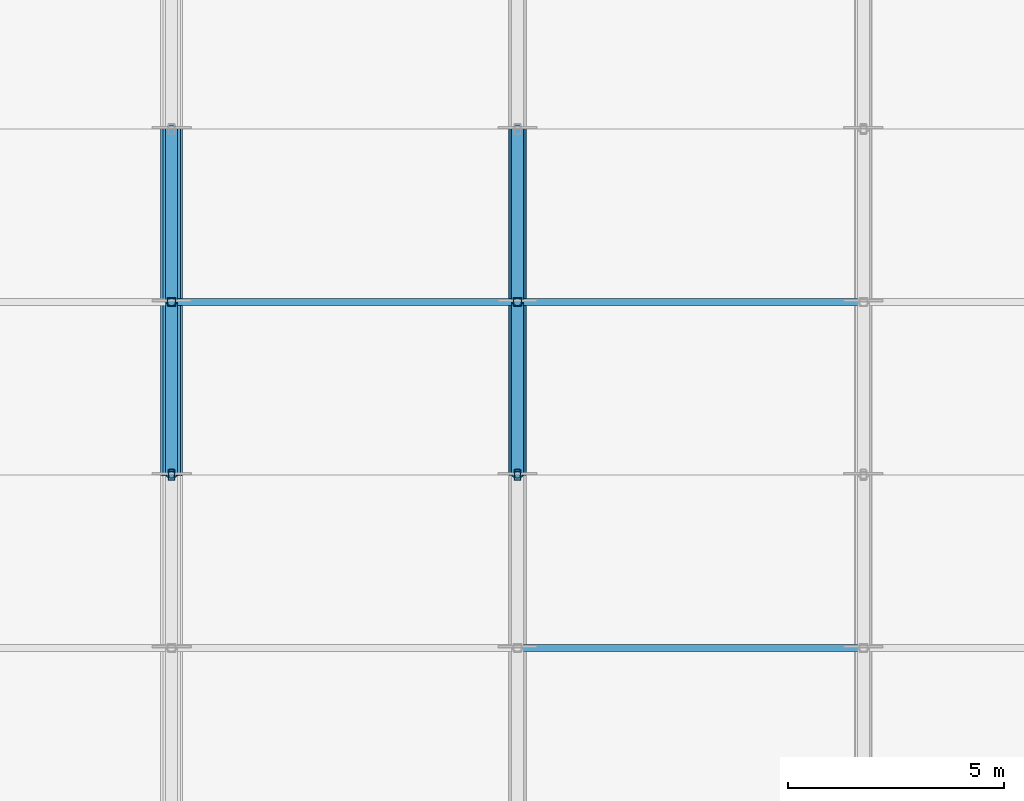
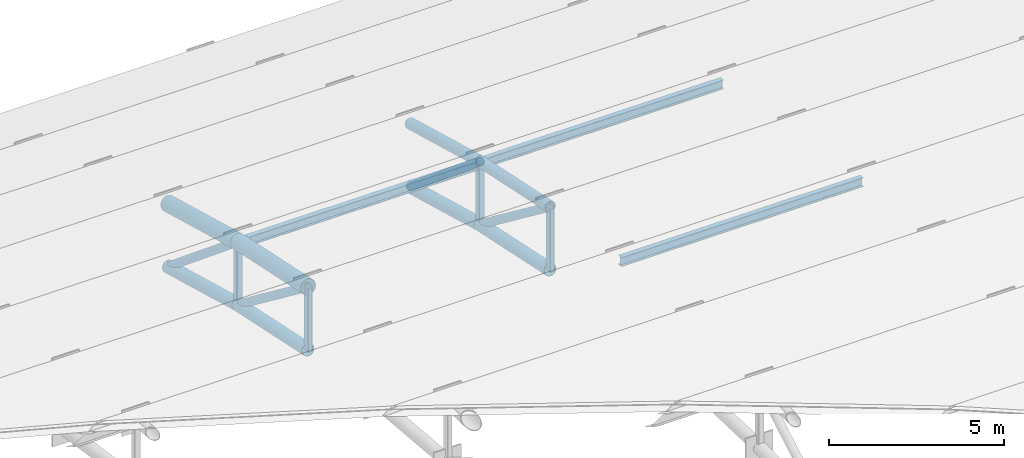
# One storey, part 20 of 98: 19 members.
"""IFC4 building model written with IfcOpenShell, lengths in metres."""

from ifc_helpers import new_model, si_unit, direction, frame, origin, origin_2d, place, context, subcontext, project, spatial, hollow_rectangle, hollow_circle, i_section, extrude, material, material_profile, profile_set, type_object, element, save


model = new_model("IFC4")

# Units and contexts
model_context = context("Model", 3, precision=1e-05, world=origin(), true_north=direction((0.0, 1.0)))
body_context = subcontext(model_context, "Body", "Model", "MODEL_VIEW")
ifc_project = project(units=[si_unit("LENGTHUNIT", "METRE"), si_unit("AREAUNIT", "SQUARE_METRE"), si_unit("VOLUMEUNIT", "CUBIC_METRE"), si_unit("PLANEANGLEUNIT", "RADIAN"), si_unit("MASSUNIT", "GRAM", prefix="KILO")], contexts=[model_context])

# Site, building, storey
site_placement = place(None, origin())
site = spatial("IfcSite", under=ifc_project, at=site_placement, CompositionType="ELEMENT")
building_placement = place(site_placement, origin())
building = spatial("IfcBuilding", under=site, at=building_placement, Name="Tlacozan Convention Centre", CompositionType="ELEMENT")
storey_placement = place(building_placement, frame((0.0, 0.0, 25.800048828125)))
storey = spatial("IfcBuildingStorey", under=building, at=storey_placement, Name="Roof", CompositionType="ELEMENT", Elevation=25.800048828125)

# Members
ifc_material_1 = material(Name="Steel ASTM A500 Grade C", Category="steel")
ifc_material_profile_1 = material_profile(ifc_material_1, hollow_circle(Radius=0.203125, WallThickness=0.015869140625, at=origin_2d()), Name="OC 406.4x15.9")
ifc_profile_set_1 = profile_set([ifc_material_profile_1], Name="Steel ASTM A500 Grade C")
member_type_1 = type_object("IfcMemberType", Name="Arch Bottom Chord OC 406.4x15.9", PredefinedType="CHORD", material=ifc_profile_set_1)
member_1_placement = place(storey_placement, frame((48.0, 106.0, -5.8671875), z_axis=(0.0, 0.978552953366, -0.205995430674), x_axis=(-1.0, 0.0, 0.0)))
element("IfcMember", 1, at=member_1_placement, inside=storey, type_object=member_type_1, Name="V2A Roof Truss 7 Bottom Chord 12", PredefinedType="CHORD", context=body_context, shape_type="SweptSolid", body=[
    extrude(hollow_circle(Radius=0.203125, WallThickness=0.015869140625, at=origin_2d()), origin(), (0.0, 0.0, 1.0), 4.087646484375),
])
member_2_placement = place(storey_placement, frame((48.0, 110.0, -6.709228515625), z_axis=(0.0, 0.964289609145, -0.26485005134), x_axis=(-1.0, 0.0, 0.0)))
element("IfcMember", 2, at=member_2_placement, inside=storey, type_object=member_type_1, Name="V2A Roof Truss 7 Bottom Chord 13", PredefinedType="CHORD", context=body_context, shape_type="SweptSolid", body=[
    extrude(hollow_circle(Radius=0.203125, WallThickness=0.015869140625, at=origin_2d()), origin(), (0.0, 0.0, 1.0), 4.148193359375),
])
member_3_placement = place(storey_placement, frame((56.0, 106.0, -5.8671875), z_axis=(0.0, 0.978552953366, -0.205995430674), x_axis=(-1.0, 0.0, 0.0)))
element("IfcMember", 3, at=member_3_placement, inside=storey, type_object=member_type_1, Name="V2A Roof Truss 8 Bottom Chord 12", PredefinedType="CHORD", context=body_context, shape_type="SweptSolid", body=[
    extrude(hollow_circle(Radius=0.203125, WallThickness=0.015869140625, at=origin_2d()), origin(), (0.0, 0.0, 1.0), 4.087646484375),
])
member_4_placement = place(storey_placement, frame((56.0, 110.0, -6.709228515625), z_axis=(0.0, 0.964289609145, -0.26485005134), x_axis=(-1.0, 0.0, 0.0)))
element("IfcMember", 4, at=member_4_placement, inside=storey, type_object=member_type_1, Name="V2A Roof Truss 8 Bottom Chord 13", PredefinedType="CHORD", context=body_context, shape_type="SweptSolid", body=[
    extrude(hollow_circle(Radius=0.203125, WallThickness=0.015869140625, at=origin_2d()), origin(), (0.0, 0.0, 1.0), 4.148193359375),
])
ifc_material_profile_2 = material_profile(ifc_material_1, hollow_circle(Radius=0.25390625, WallThickness=0.01904296875, at=origin_2d()), Name="OC 508.0x19.1")
ifc_profile_set_2 = profile_set([ifc_material_profile_2], Name="Steel ASTM A500 Grade C")
member_type_2 = type_object("IfcMemberType", Name="Arch Top Chord OC 508x19.1", PredefinedType="CHORD", material=ifc_profile_set_2)
member_5_placement = place(storey_placement, frame((48.0, 106.0, -3.667236328125), z_axis=(0.0, 0.978552953366, -0.205995430674), x_axis=(-1.0, 0.0, 0.0)))
element("IfcMember", 5, at=member_5_placement, inside=storey, type_object=member_type_2, Name="V2A Roof Truss 7 Top Chord 12", PredefinedType="CHORD", context=body_context, shape_type="SweptSolid", body=[
    extrude(hollow_circle(Radius=0.25390625, WallThickness=0.01904296875, at=origin_2d()), origin(), (0.0, 0.0, 1.0), 4.087646484375),
])
member_6_placement = place(storey_placement, frame((48.0, 110.0, -4.50927734375), z_axis=(0.0, 0.964304639076, -0.264795322949), x_axis=(-1.0, 0.0, 0.0)))
element("IfcMember", 6, at=member_6_placement, inside=storey, type_object=member_type_2, Name="V2A Roof Truss 7 Top Chord 13", PredefinedType="CHORD", context=body_context, shape_type="SweptSolid", body=[
    extrude(hollow_circle(Radius=0.25390625, WallThickness=0.01904296875, at=origin_2d()), origin(), (0.0, 0.0, 1.0), 4.14794921875),
])
ifc_material_profile_3 = material_profile(ifc_material_1, hollow_circle(Radius=0.136474609375, WallThickness=0.0126953125, at=origin_2d()), Name="OC 273.1x12.7")
ifc_profile_set_3 = profile_set([ifc_material_profile_3], Name="Steel ASTM A500 Grade C")
member_type_3 = type_object("IfcMemberType", Name="Arch Web Diagonal OC 273.1x12.7", PredefinedType="BRACE", material=ifc_profile_set_3)
member_7_placement = place(storey_placement, frame((48.0, 106.0, -3.667236328125), z_axis=(0.0, 0.795971176065, -0.605334524766), x_axis=(-1.0, 0.0, 0.0)))
element("IfcMember", 7, at=member_7_placement, inside=storey, type_object=member_type_3, Name="V2A Roof Truss 7 Web Diagonal 12", PredefinedType="BRACE", context=body_context, shape_type="SweptSolid", body=[
    extrude(hollow_circle(Radius=0.136474609375, WallThickness=0.0126953125, at=origin_2d()), origin(), (0.0, 0.0, 1.0), 5.025390625),
])
member_8_placement = place(storey_placement, frame((48.0, 110.0, -4.50927734375), z_axis=(0.0, 0.771507331308, -0.63622043172), x_axis=(-1.0, 0.0, 0.0)))
element("IfcMember", 8, at=member_8_placement, inside=storey, type_object=member_type_3, Name="V2A Roof Truss 7 Web Diagonal 13", PredefinedType="BRACE", context=body_context, shape_type="SweptSolid", body=[
    extrude(hollow_circle(Radius=0.136474609375, WallThickness=0.0126953125, at=origin_2d()), origin(), (0.0, 0.0, 1.0), 5.1845703125),
])
member_9_placement = place(storey_placement, frame((56.0, 106.0, -3.667236328125), z_axis=(0.0, 0.795971176065, -0.605334524766), x_axis=(-1.0, 0.0, 0.0)))
element("IfcMember", 9, at=member_9_placement, inside=storey, type_object=member_type_3, Name="V2A Roof Truss 8 Web Diagonal 12", PredefinedType="BRACE", context=body_context, shape_type="SweptSolid", body=[
    extrude(hollow_circle(Radius=0.136474609375, WallThickness=0.0126953125, at=origin_2d()), origin(), (0.0, 0.0, 1.0), 5.025390625),
])
member_10_placement = place(storey_placement, frame((56.0, 110.0, -4.50927734375), z_axis=(0.0, 0.771507331308, -0.63622043172), x_axis=(-1.0, 0.0, 0.0)))
element("IfcMember", 10, at=member_10_placement, inside=storey, type_object=member_type_3, Name="V2A Roof Truss 8 Web Diagonal 13", PredefinedType="BRACE", context=body_context, shape_type="SweptSolid", body=[
    extrude(hollow_circle(Radius=0.136474609375, WallThickness=0.0126953125, at=origin_2d()), origin(), (0.0, 0.0, 1.0), 5.1845703125),
])
ifc_material_profile_4 = material_profile(ifc_material_1, hollow_rectangle(XDim=0.203125, YDim=0.203125, WallThickness=0.0126953125, InnerFilletRadius=0.0126953125, OuterFilletRadius=0.02490234375, at=origin_2d()), Name="OR 203x203x12.7")
ifc_profile_set_4 = profile_set([ifc_material_profile_4], Name="Steel ASTM A500 Grade C")
member_type_4 = type_object("IfcMemberType", Name="Arch Web Strut OR 203x203x12.7", PredefinedType="STRUT", material=ifc_profile_set_4)
for number, where, z_axis, x_axis, name in (
    (11, (48.0, 110.0, -6.709228515625), (0.0, 0.0, 1.0), (1.0, 0.0, 0.0), "V2A Roof Truss 7 Vertical Strut 13"),
    (12, (56.0, 110.0, -6.709228515625), (0.0, 0.0, 1.0), (1.0, 0.0, 0.0), "V2A Roof Truss 8 Vertical Strut 13"),
):
    element("IfcMember", number, at=place(storey_placement, frame(where, z_axis=z_axis, x_axis=x_axis)), inside=storey, type_object=member_type_4, Name=name, PredefinedType="STRUT", context=body_context, shape_type="SweptSolid", body=[
        extrude(hollow_rectangle(XDim=0.203125, YDim=0.203125, WallThickness=0.0126953125, InnerFilletRadius=0.0126953125, OuterFilletRadius=0.02490234375, at=origin_2d()), origin(), (0.0, 0.0, 1.0), 2.199951171875),
    ])
ifc_material_2 = material(Name="Steel ASTM A992 Grade 50", Category="steel")
ifc_material_profile_5 = material_profile(ifc_material_2, i_section(OverallWidth=0.1669921875, OverallDepth=0.31689453125, WebThickness=0.007568359375, FlangeThickness=0.01318359375, FilletRadius=0.010009765625, at=origin_2d()), Name="IR 305x52.2")
ifc_profile_set_5 = profile_set([ifc_material_profile_5], Name="Steel ASTM A992 Grade 50")
member_type_5 = type_object("IfcMemberType", Name="Roof Purlin IR 305x52.2", PredefinedType="PURLIN", material=ifc_profile_set_5)
for number, where, z_axis, x_axis, name in (
    (13, (48.0, 110.0, -4.57421875), (1.0, 0.0, 0.0), (0.0, 1.0, 0.0), "V2A Roof Truss Purlin 7.13"),
    (14, (56.0, 102.0, -3.13720703125), (1.0, 0.0, 0.0), (0.0, 1.0, 0.0), "V2A Roof Truss Purlin 8.11"),
    (15, (56.0, 110.0, -4.57421875), (1.0, 0.0, 0.0), (0.0, 1.0, 0.0), "V2A Roof Truss Purlin 8.13"),
):
    element("IfcMember", number, at=place(storey_placement, frame(where, z_axis=z_axis, x_axis=x_axis)), inside=storey, type_object=member_type_5, Name=name, PredefinedType="PURLIN", context=body_context, shape_type="SweptSolid", body=[
        extrude(i_section(OverallWidth=0.1669921875, OverallDepth=0.31689453125, WebThickness=0.007568359375, FlangeThickness=0.01318359375, FilletRadius=0.010009765625, at=origin_2d()), origin(), (0.0, 0.0, 1.0), 8.0),
    ])
ifc_material_profile_6 = material_profile(ifc_material_1, hollow_circle(Radius=0.177734375, WallThickness=0.015869140625, at=origin_2d()), Name="OC 355.6x15.9")
ifc_profile_set_6 = profile_set([ifc_material_profile_6], Name="Steel ASTM A500 Grade C")
member_type_6 = type_object("IfcMemberType", Name="Secondary Arch Chord OC 355.6x15.9", PredefinedType="CHORD", material=ifc_profile_set_6)
member_11_placement = place(storey_placement, frame((56.0, 106.0, -3.667236328125), z_axis=(0.0, 0.978552953366, -0.205995430674), x_axis=(-1.0, 0.0, 0.0)))
element("IfcMember", 16, at=member_11_placement, inside=storey, type_object=member_type_6, Name="V2A Roof Truss 8 Top Chord 12", PredefinedType="CHORD", context=body_context, shape_type="SweptSolid", body=[
    extrude(hollow_circle(Radius=0.177734375, WallThickness=0.015869140625, at=origin_2d()), origin(), (0.0, 0.0, 1.0), 4.087646484375),
])
member_12_placement = place(storey_placement, frame((56.0, 110.0, -4.50927734375), z_axis=(0.0, 0.964304639076, -0.264795322949), x_axis=(-1.0, 0.0, 0.0)))
element("IfcMember", 17, at=member_12_placement, inside=storey, type_object=member_type_6, Name="V2A Roof Truss 8 Top Chord 13", PredefinedType="CHORD", context=body_context, shape_type="SweptSolid", body=[
    extrude(hollow_circle(Radius=0.177734375, WallThickness=0.015869140625, at=origin_2d()), origin(), (0.0, 0.0, 1.0), 4.14794921875),
])
ifc_material_profile_7 = material_profile(ifc_material_1, hollow_rectangle(XDim=0.15234375, YDim=0.25390625, WallThickness=0.0126953125, InnerFilletRadius=0.0126953125, OuterFilletRadius=0.02490234375, at=origin_2d()), Name="OR 254x152x12.7")
ifc_profile_set_7 = profile_set([ifc_material_profile_7], Name="Steel ASTM A500 Grade C")
member_type_7 = type_object("IfcMemberType", Name="Truss Secondary Strut OR 254x152x12.7", PredefinedType="STRUT", material=ifc_profile_set_7)
for number, where, z_axis, x_axis, name in (
    (18, (48.0, 106.0, -5.8671875), (0.0, 0.0, 1.0), (1.0, 0.0, 0.0), "V2A Roof Truss 7 Vertical Strut 12"),
    (19, (56.0, 106.0, -5.8671875), (0.0, 0.0, 1.0), (1.0, 0.0, 0.0), "V2A Roof Truss 8 Vertical Strut 12"),
):
    element("IfcMember", number, at=place(storey_placement, frame(where, z_axis=z_axis, x_axis=x_axis)), inside=storey, type_object=member_type_7, Name=name, PredefinedType="STRUT", context=body_context, shape_type="SweptSolid", body=[
        extrude(hollow_rectangle(XDim=0.15234375, YDim=0.25390625, WallThickness=0.0126953125, InnerFilletRadius=0.0126953125, OuterFilletRadius=0.02490234375, at=origin_2d()), origin(), (0.0, 0.0, 1.0), 2.199951171875),
    ])

save(model, "model.ifc")
